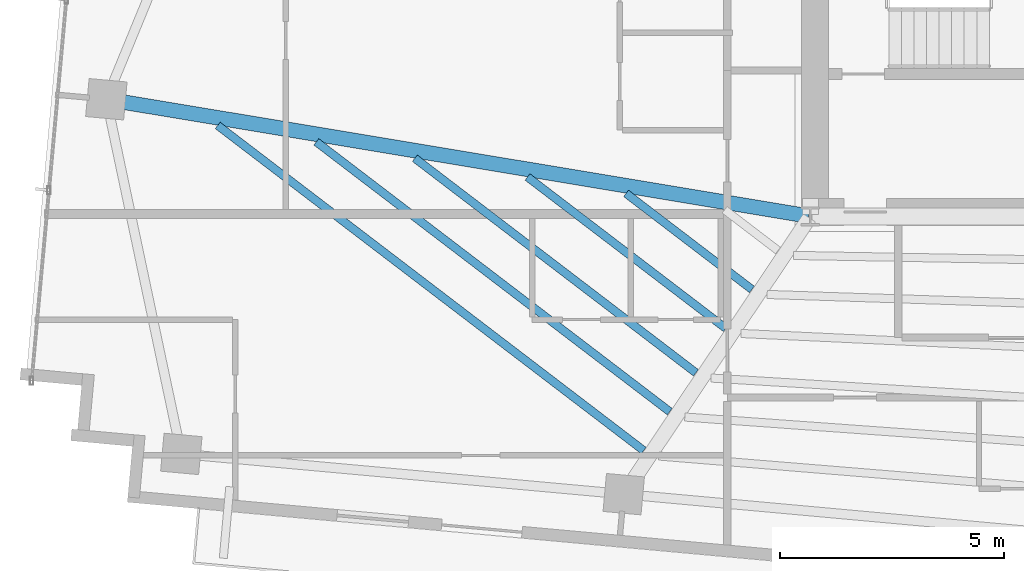
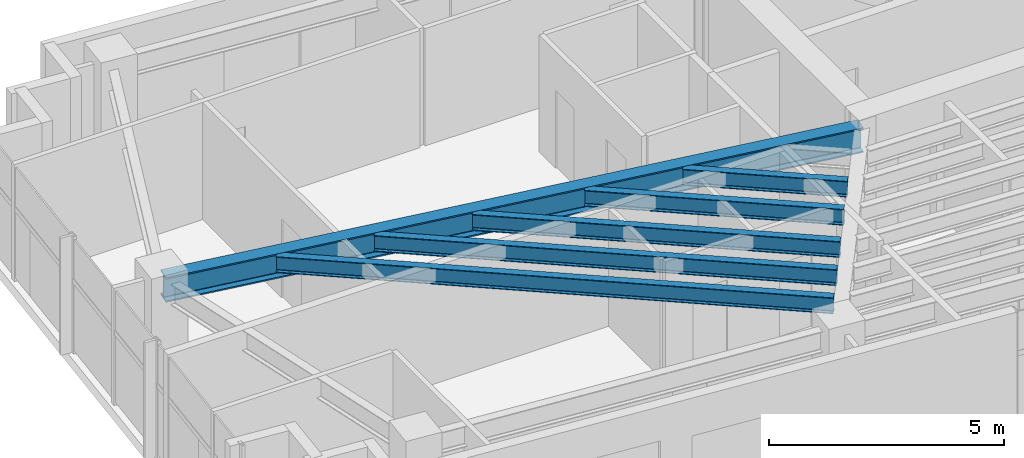
# One storey, part 5 of 22: 6 beams.
"""IFC4 building model written with IfcOpenShell, lengths in metres."""

from ifc_helpers import new_model, si_unit, direction, frame, origin, origin_2d, place, context, subcontext, project, spatial, i_section, extrude, source, transform, mapped, material, material_profile, profile_set, type_object, type_shapes, element, save


model = new_model("IFC4")

# Units and contexts
model_context = context("Model", 3, precision=1e-05, world=origin(), true_north=direction((0.0, 1.0)))
body_context = subcontext(model_context, "Body", "Model", "MODEL_VIEW")
ifc_project = project(units=[si_unit("LENGTHUNIT", "METRE"), si_unit("AREAUNIT", "SQUARE_METRE"), si_unit("VOLUMEUNIT", "CUBIC_METRE"), si_unit("PLANEANGLEUNIT", "RADIAN"), si_unit("MASSUNIT", "GRAM", prefix="KILO")], contexts=[model_context])

# Site, building, storey
site_placement = place(None, origin())
site = spatial("IfcSite", under=ifc_project, at=site_placement, CompositionType="ELEMENT")
building_placement = place(site_placement, origin())
building = spatial("IfcBuilding", under=site, at=building_placement, Name="Astriad Promenade Condominiums", CompositionType="ELEMENT")
storey_placement = place(building_placement, frame((0.0, 0.0, 226.5)))
storey = spatial("IfcBuildingStorey", under=building, at=storey_placement, Name="L65", CompositionType="ELEMENT", Elevation=226.5)

# Beams
ifc_material = material(Name="Steel ASTM A992 Grade 50", Category="steel")
ifc_material_profile_1 = material_profile(ifc_material, i_section(OverallWidth=0.327392578125, OverallDepth=0.640625, WebThickness=0.01904296875, FlangeThickness=0.033935546875, FilletRadius=0.017822265625, at=origin_2d()), Name="W24X176")
ifc_profile_set_1 = profile_set([ifc_material_profile_1], Name="Steel ASTM A992 Grade 50")
beam_type_1 = type_object("IfcBeamType", Name="STEEL FLOOR GIRDER W24X176", PredefinedType="BEAM", material=ifc_profile_set_1)
shared_shape_1 = source(origin(), body_context, "Body", "SweptSolid", [
    extrude(i_section(OverallWidth=0.327392578125, OverallDepth=0.640625, WebThickness=0.01904296875, FlangeThickness=0.033935546875, FilletRadius=0.017822265625, at=origin_2d()), origin(), (0.0, 0.0, 1.0), 15.824462890625),
])
type_shapes(beam_type_1, [shared_shape_1])
beam_1_placement = place(storey_placement, frame((10.750732421875, 20.003662109375, 2.7197265625), z_axis=(0.986439752668, -0.164123777548, 0.0), x_axis=(0.164123777548, 0.986439752668, 0.0)))
element("IfcBeam", 1, at=beam_1_placement, inside=storey, type_object=beam_type_1, Name="Primary Floor Girder PG-WM-L65", PredefinedType="BEAM", context=body_context, shape_type="MappedRepresentation", body=[
    mapped(shared_shape_1, transform((0.0, 0.0, 0.0), scale=1.0)),
])
ifc_material_profile_2 = material_profile(ifc_material, i_section(OverallWidth=0.180908203125, OverallDepth=0.417236328125, WebThickness=0.010986328125, FlangeThickness=0.018310546875, FilletRadius=0.013916015625, at=origin_2d()), Name="W16X57")
ifc_profile_set_2 = profile_set([ifc_material_profile_2], Name="Steel ASTM A992 Grade 50")
beam_type_2 = type_object("IfcBeamType", Name="STEEL FLOOR JOIST W16X57", PredefinedType="JOIST", material=ifc_profile_set_2)
shared_shape_2 = source(origin(), body_context, "Body", "SweptSolid", [
    extrude(i_section(OverallWidth=0.180908203125, OverallDepth=0.417236328125, WebThickness=0.010986328125, FlangeThickness=0.018310546875, FilletRadius=0.013916015625, at=origin_2d()), origin(), (0.0, 0.0, 1.0), 11.941162109375),
])
beam_2_placement = place(storey_placement, frame((13.193603515625, 19.426513671875, 2.831298828125), z_axis=(0.794872876153, -0.606775997182, 0.0), x_axis=(0.606775997182, 0.794872876153, 0.0)))
element("IfcBeam", 2, at=beam_2_placement, inside=storey, type_object=beam_type_2, Name="Secondary Composite Floor Joist JW1-1-L65", PredefinedType="JOIST", context=body_context, shape_type="MappedRepresentation", body=[
    mapped(shared_shape_2, transform((0.0, 0.0, 0.0), scale=1.0)),
])
shared_shape_3 = source(origin(), body_context, "Body", "SweptSolid", [
    extrude(i_section(OverallWidth=0.180908203125, OverallDepth=0.417236328125, WebThickness=0.010986328125, FlangeThickness=0.018310546875, FilletRadius=0.013916015625, at=origin_2d()), origin(), (0.0, 0.0, 1.0), 9.91015625),
])
beam_3_placement = place(storey_placement, frame((15.39013671875, 19.06103515625, 2.831298828125), z_axis=(0.794880580107, -0.606765904916, 0.0), x_axis=(0.606765904916, 0.794880580107, 0.0)))
element("IfcBeam", 3, at=beam_3_placement, inside=storey, type_object=beam_type_2, Name="Secondary Composite Floor Joist JW1-2-L65", PredefinedType="JOIST", context=body_context, shape_type="MappedRepresentation", body=[
    mapped(shared_shape_3, transform((0.0, 0.0, 0.0), scale=1.0)),
])
shared_shape_4 = source(origin(), body_context, "Body", "SweptSolid", [
    extrude(i_section(OverallWidth=0.180908203125, OverallDepth=0.417236328125, WebThickness=0.010986328125, FlangeThickness=0.018310546875, FilletRadius=0.013916015625, at=origin_2d()), origin(), (0.0, 0.0, 1.0), 7.8798828125),
])
beam_4_placement = place(storey_placement, frame((17.58642578125, 18.69580078125, 2.831298828125), z_axis=(0.794873774806, -0.60677481995, 0.0), x_axis=(0.60677481995, 0.794873774806, 0.0)))
element("IfcBeam", 4, at=beam_4_placement, inside=storey, type_object=beam_type_2, Name="Secondary Composite Floor Joist JW1-3-L65", PredefinedType="JOIST", context=body_context, shape_type="MappedRepresentation", body=[
    mapped(shared_shape_4, transform((0.0, 0.0, 0.0), scale=1.0)),
])
shared_shape_5 = source(origin(), body_context, "Body", "SweptSolid", [
    extrude(i_section(OverallWidth=0.180908203125, OverallDepth=0.417236328125, WebThickness=0.010986328125, FlangeThickness=0.018310546875, FilletRadius=0.013916015625, at=origin_2d()), origin(), (0.0, 0.0, 1.0), 5.55908203125),
])
beam_5_placement = place(storey_placement, frame((20.0966796875, 18.278076171875, 2.831298828125), z_axis=(0.794874877878, -0.606773374925, 0.0), x_axis=(0.606773374925, 0.794874877878, 0.0)))
element("IfcBeam", 5, at=beam_5_placement, inside=storey, type_object=beam_type_2, Name="Secondary Composite Floor Joist JW1-4-L65", PredefinedType="JOIST", context=body_context, shape_type="MappedRepresentation", body=[
    mapped(shared_shape_5, transform((0.0, 0.0, 0.0), scale=1.0)),
])
shared_shape_6 = source(origin(), body_context, "Body", "SweptSolid", [
    extrude(i_section(OverallWidth=0.180908203125, OverallDepth=0.417236328125, WebThickness=0.010986328125, FlangeThickness=0.018310546875, FilletRadius=0.013916015625, at=origin_2d()), origin(), (0.0, 0.0, 1.0), 3.5283203125),
])
type_shapes(beam_type_2, [shared_shape_2, shared_shape_3, shared_shape_4, shared_shape_5, shared_shape_6])
beam_6_placement = place(storey_placement, frame((22.293212890625, 17.91259765625, 2.831298828125), z_axis=(0.794864295135, -0.606787238099, 0.0), x_axis=(0.606787238099, 0.794864295135, 0.0)))
element("IfcBeam", 6, at=beam_6_placement, inside=storey, type_object=beam_type_2, Name="Secondary Composite Floor Joist JW1-5-L65", PredefinedType="JOIST", context=body_context, shape_type="MappedRepresentation", body=[
    mapped(shared_shape_6, transform((0.0, 0.0, 0.0), scale=1.0)),
])

save(model, "model.ifc")
